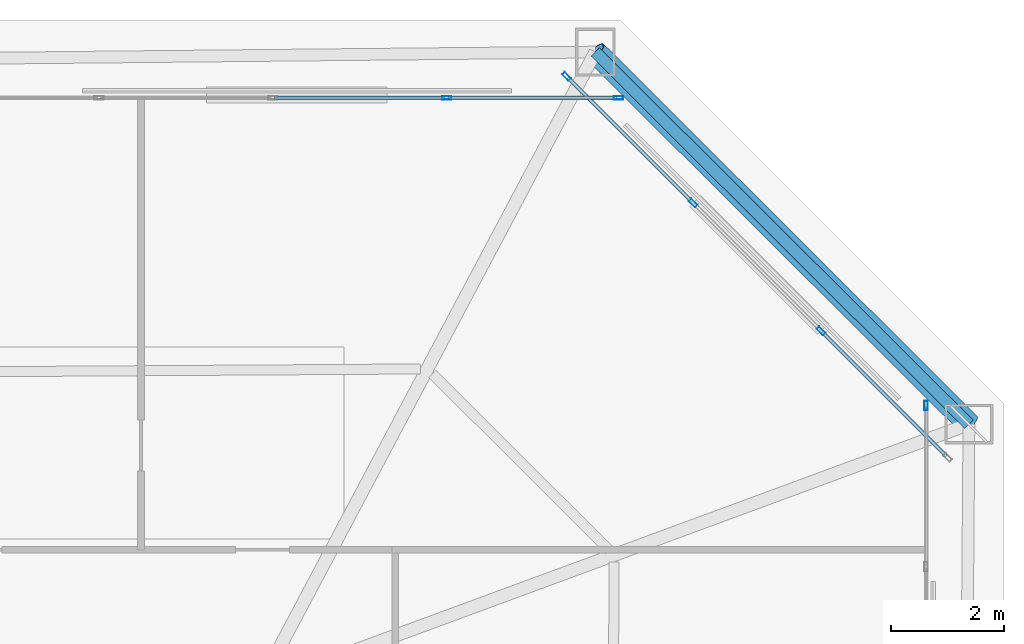
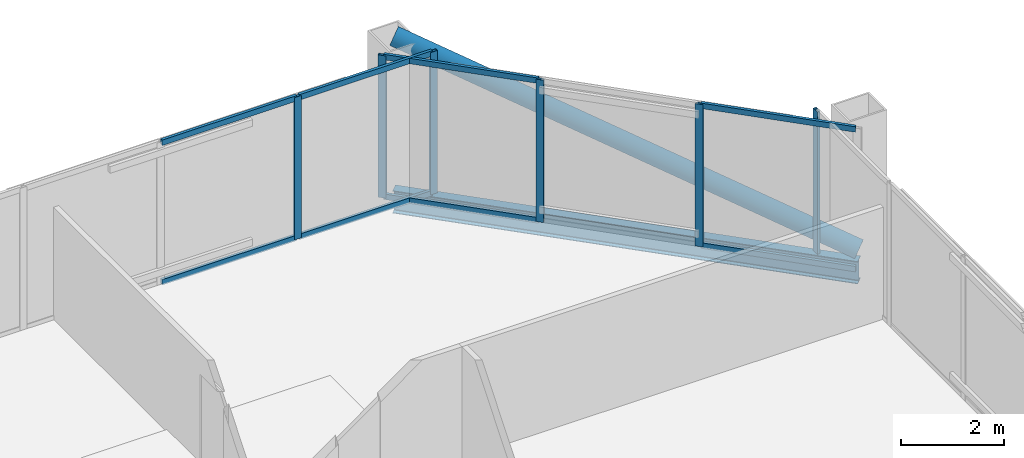
# One storey, part 33 of 39: 15 members, 1 beam, 3 elements without a shape of their own.
"""IFC4 building model written with IfcOpenShell, lengths in metres."""

from ifc_helpers import new_model, si_unit, direction, frame, origin, origin_2d, place, context, subcontext, project, spatial, hollow_rectangle, hollow_circle, i_section, extrude, material, layer, layer_set, material_profile, profile_set, type_object, element, aggregate, save


model = new_model("IFC4")

# Units and contexts
model_context = context("Model", 3, precision=1e-05, world=origin(), true_north=direction((0.0, 1.0)))
body_context = subcontext(model_context, "Body", "Model", "MODEL_VIEW")
ifc_project = project(units=[si_unit("LENGTHUNIT", "METRE"), si_unit("AREAUNIT", "SQUARE_METRE"), si_unit("VOLUMEUNIT", "CUBIC_METRE"), si_unit("PLANEANGLEUNIT", "RADIAN"), si_unit("MASSUNIT", "GRAM", prefix="KILO")], contexts=[model_context])

# Site, building, storey
site_placement = place(None, origin())
site = spatial("IfcSite", under=ifc_project, at=site_placement, CompositionType="ELEMENT")
building_placement = place(site_placement, origin())
building = spatial("IfcBuilding", under=site, at=building_placement, Name="Caelvoria Tower", CompositionType="ELEMENT")
storey_placement = place(building_placement, frame((0.0, 0.0, 198.60009765625)))
storey = spatial("IfcBuildingStorey", under=building, at=storey_placement, Name="L52", CompositionType="ELEMENT", Elevation=198.60009765625)

# Curtain wall, member
ifc_material_1 = material(Name="Anodised Bronze Aluminium and Low-E Glass", Category="aluminium")
ifc_layer = layer(ifc_material_1, 0.175048828125, Name="Anodised Bronze Aluminium and Low-E Glass")
ifc_layer_set = layer_set([ifc_layer], Name="CW System 4 High-Zone Tapered Crystal Facade - Anodised Bronze Aluminium and Low-E Glass")
curtain_wall_type = type_object("IfcCurtainWallType", Name="CW System 4 High-Zone Tapered Crystal Facade", PredefinedType="NOTDEFINED", material=ifc_layer_set)
curtain_wall_1_placement = place(storey_placement, origin())
curtain_wall_1 = element("IfcCurtainWall", 1, at=curtain_wall_1_placement, inside=storey, type_object=curtain_wall_type, Name="CW-04 Curtain Wall L52-E2", PredefinedType="NOTDEFINED")
ifc_material_2 = material(Name="Anodised Bronze Architectural Aluminium", Category="aluminium")
ifc_material_profile_1 = material_profile(ifc_material_2, hollow_rectangle(XDim=0.06494140625, YDim=0.159912109375, WallThickness=0.00390625, at=origin_2d()), Name="Anodised Bronze Architectural Aluminium")
ifc_profile_set_1 = profile_set([ifc_material_profile_1], Name="CW_MULL_65X160 - Anodised Bronze Architectural Aluminium")
member_type_1 = type_object("IfcMemberType", Name="Curtain Wall Mullion 65x160 Bronze Aluminium", PredefinedType="MULLION", material=ifc_profile_set_1)
member_1_placement = place(storey_placement, frame((66.820068359375, 44.967529296875, 0.0), z_axis=(0.0, 0.0, 1.0), x_axis=(-1.0, 0.0, 0.0)))
member_1 = element("IfcMember", 2, at=member_1_placement, type_object=member_type_1, Name="CW-04 mullion 10", PredefinedType="MULLION", context=body_context, shape_type="SweptSolid", body=[
    extrude(hollow_rectangle(XDim=0.06494140625, YDim=0.159912109375, WallThickness=0.00390625, at=origin_2d()), origin(), (0.0, 0.0, 1.0), 3.375),
])
aggregate(curtain_wall_1, [member_1])

# Curtain wall, members
curtain_wall_2_placement = place(storey_placement, origin())
curtain_wall_2 = element("IfcCurtainWall", 3, at=curtain_wall_2_placement, inside=storey, type_object=curtain_wall_type, Name="CW-04 Curtain Wall L52-E3", PredefinedType="NOTDEFINED")
member_2_placement = place(storey_placement, frame((64.95751953125, 46.290771484375, 0.0), z_axis=(0.0, 0.0, 1.0), x_axis=(-0.707106781187, -0.707106781187, 0.0)))
member_2 = element("IfcMember", 4, at=member_2_placement, type_object=member_type_1, Name="CW-04 mullion 2", PredefinedType="MULLION", context=body_context, shape_type="SweptSolid", body=[
    extrude(hollow_rectangle(XDim=0.06494140625, YDim=0.159912109375, WallThickness=0.00390625, at=origin_2d()), origin(), (0.0, 0.0, 1.0), 3.375),
])
member_3_placement = place(storey_placement, frame((62.69091796875, 48.5576171875, 0.0), z_axis=(0.0, 0.0, 1.0), x_axis=(-0.707106781187, -0.707106781187, 0.0)))
member_3 = element("IfcMember", 5, at=member_3_placement, type_object=member_type_1, Name="CW-04 mullion 3", PredefinedType="MULLION", context=body_context, shape_type="SweptSolid", body=[
    extrude(hollow_rectangle(XDim=0.06494140625, YDim=0.159912109375, WallThickness=0.00390625, at=origin_2d()), origin(), (0.0, 0.0, 1.0), 3.375),
])
member_4_placement = place(storey_placement, frame((60.447265625, 50.80126953125, 0.0), z_axis=(0.0, 0.0, 1.0), x_axis=(-0.707106781187, -0.707106781187, 0.0)))
member_4 = element("IfcMember", 6, at=member_4_placement, type_object=member_type_1, Name="CW-04 mullion 4", PredefinedType="MULLION", context=body_context, shape_type="SweptSolid", body=[
    extrude(hollow_rectangle(XDim=0.06494140625, YDim=0.159912109375, WallThickness=0.00390625, at=origin_2d()), origin(), (0.0, 0.0, 1.0), 3.375),
])

curtain_wall_3_placement = place(storey_placement, origin())
curtain_wall_3 = element("IfcCurtainWall", 7, at=curtain_wall_3_placement, inside=storey, type_object=curtain_wall_type, Name="CW-04 Curtain Wall L52-E4", PredefinedType="NOTDEFINED")
member_5_placement = place(storey_placement, frame((61.367431640625, 50.419921875, 0.0), z_axis=(0.0, 0.0, 1.0), x_axis=(0.0, -1.0, 0.0)))
member_5 = element("IfcMember", 8, at=member_5_placement, type_object=member_type_1, Name="CW-04 mullion 1", PredefinedType="MULLION", context=body_context, shape_type="SweptSolid", body=[
    extrude(hollow_rectangle(XDim=0.06494140625, YDim=0.159912109375, WallThickness=0.00390625, at=origin_2d()), origin(), (0.0, 0.0, 1.0), 3.375),
])
member_6_placement = place(storey_placement, frame((58.320068359375, 50.419921875, 0.0), z_axis=(0.0, 0.0, 1.0), x_axis=(0.0, -1.0, 0.0)))
member_6 = element("IfcMember", 9, at=member_6_placement, type_object=member_type_1, Name="CW-04 mullion 2", PredefinedType="MULLION", context=body_context, shape_type="SweptSolid", body=[
    extrude(hollow_rectangle(XDim=0.06494140625, YDim=0.159912109375, WallThickness=0.00390625, at=origin_2d()), origin(), (0.0, 0.0, 1.0), 3.375),
])

# Member
ifc_material_profile_2 = material_profile(ifc_material_2, hollow_rectangle(XDim=0.06494140625, YDim=0.1298828125, WallThickness=0.00341796875, at=origin_2d()), Name="Anodised Bronze Architectural Aluminium")
ifc_profile_set_2 = profile_set([ifc_material_profile_2], Name="CW_TRAN_65X130 - Anodised Bronze Architectural Aluminium")
member_type_2 = type_object("IfcMemberType", Name="Curtain Wall Transom 65x130 Bronze Aluminium", PredefinedType="USERDEFINED", material=ifc_profile_set_2)
member_7_placement = place(storey_placement, frame((67.17822265625, 44.070068359375, 0.032470703125), z_axis=(-0.707106781187, 0.707106781187, 0.0), x_axis=(-0.707106781187, -0.707106781187, 0.0)))
member_7 = element("IfcMember", 10, at=member_7_placement, type_object=member_type_2, Name="CW-04 transom 1.1", ObjectType="TRANSOM", PredefinedType="USERDEFINED", context=body_context, shape_type="SweptSolid", body=[
    extrude(hollow_rectangle(XDim=0.06494140625, YDim=0.1298828125, WallThickness=0.00341796875, at=origin_2d()), origin(), (0.0, 0.0, 1.0), 3.108154296875),
])

member_8_placement = place(storey_placement, frame((67.17822265625, 44.070068359375, 3.34228515625), z_axis=(-0.707106781187, 0.707106781187, 0.0), x_axis=(-0.707106781187, -0.707106781187, 0.0)))
member_8 = element("IfcMember", 11, at=member_8_placement, type_object=member_type_2, Name="CW-04 transom 1.2", ObjectType="TRANSOM", PredefinedType="USERDEFINED", context=body_context, shape_type="SweptSolid", body=[
    extrude(hollow_rectangle(XDim=0.06494140625, YDim=0.1298828125, WallThickness=0.00341796875, at=origin_2d()), origin(), (0.0, 0.0, 1.0), 3.108154296875),
])

member_9_placement = place(storey_placement, frame((62.66796875, 48.58056640625, 0.032470703125), z_axis=(-0.707106781187, 0.707106781187, 0.0), x_axis=(-0.707106781187, -0.707106781187, 0.0)))
member_9 = element("IfcMember", 12, at=member_9_placement, type_object=member_type_2, Name="CW-04 transom 3.1", ObjectType="TRANSOM", PredefinedType="USERDEFINED", context=body_context, shape_type="SweptSolid", body=[
    extrude(hollow_rectangle(XDim=0.06494140625, YDim=0.1298828125, WallThickness=0.00341796875, at=origin_2d()), origin(), (0.0, 0.0, 1.0), 3.108154296875),
])

member_10_placement = place(storey_placement, frame((62.66796875, 48.58056640625, 3.34228515625), z_axis=(-0.707106781187, 0.707106781187, 0.0), x_axis=(-0.707106781187, -0.707106781187, 0.0)))
member_10 = element("IfcMember", 13, at=member_10_placement, type_object=member_type_2, Name="CW-04 transom 3.2", ObjectType="TRANSOM", PredefinedType="USERDEFINED", context=body_context, shape_type="SweptSolid", body=[
    extrude(hollow_rectangle(XDim=0.06494140625, YDim=0.1298828125, WallThickness=0.00341796875, at=origin_2d()), origin(), (0.0, 0.0, 1.0), 3.108154296875),
])

aggregate(curtain_wall_2, [member_2, member_3, member_4, member_7, member_8, member_9, member_10])

member_11_placement = place(storey_placement, frame((61.3349609375, 50.419921875, 0.032470703125), z_axis=(-1.0, 0.0, 0.0), x_axis=(0.0, -1.0, 0.0)))
member_11 = element("IfcMember", 14, at=member_11_placement, type_object=member_type_2, Name="CW-04 transom 1.1", ObjectType="TRANSOM", PredefinedType="USERDEFINED", context=body_context, shape_type="SweptSolid", body=[
    extrude(hollow_rectangle(XDim=0.06494140625, YDim=0.1298828125, WallThickness=0.00341796875, at=origin_2d()), origin(), (0.0, 0.0, 1.0), 2.982421875),
])

member_12_placement = place(storey_placement, frame((61.3349609375, 50.419921875, 3.34228515625), z_axis=(-1.0, 0.0, 0.0), x_axis=(0.0, -1.0, 0.0)))
member_12 = element("IfcMember", 15, at=member_12_placement, type_object=member_type_2, Name="CW-04 transom 1.2", ObjectType="TRANSOM", PredefinedType="USERDEFINED", context=body_context, shape_type="SweptSolid", body=[
    extrude(hollow_rectangle(XDim=0.06494140625, YDim=0.1298828125, WallThickness=0.00341796875, at=origin_2d()), origin(), (0.0, 0.0, 1.0), 2.982421875),
])

member_13_placement = place(storey_placement, frame((58.28759765625, 50.419921875, 0.032470703125), z_axis=(-1.0, 0.0, 0.0), x_axis=(0.0, -1.0, 0.0)))
member_13 = element("IfcMember", 16, at=member_13_placement, type_object=member_type_2, Name="CW-04 transom 2.1", ObjectType="TRANSOM", PredefinedType="USERDEFINED", context=body_context, shape_type="SweptSolid", body=[
    extrude(hollow_rectangle(XDim=0.06494140625, YDim=0.1298828125, WallThickness=0.00341796875, at=origin_2d()), origin(), (0.0, 0.0, 1.0), 3.01513671875),
])

member_14_placement = place(storey_placement, frame((58.28759765625, 50.419921875, 3.34228515625), z_axis=(-1.0, 0.0, 0.0), x_axis=(0.0, -1.0, 0.0)))
member_14 = element("IfcMember", 17, at=member_14_placement, type_object=member_type_2, Name="CW-04 transom 2.2", ObjectType="TRANSOM", PredefinedType="USERDEFINED", context=body_context, shape_type="SweptSolid", body=[
    extrude(hollow_rectangle(XDim=0.06494140625, YDim=0.1298828125, WallThickness=0.00341796875, at=origin_2d()), origin(), (0.0, 0.0, 1.0), 3.01513671875),
])

aggregate(curtain_wall_3, [member_5, member_6, member_11, member_12, member_13, member_14])

ifc_material_3 = material(Name="Structural Steel ASTM A572 Gr.50", Category="steel")
ifc_material_profile_3 = material_profile(ifc_material_3, hollow_circle(Radius=0.202880859375, WallThickness=0.01611328125, at=origin_2d()), Name="Structural Steel ASTM A572 Gr.50")
ifc_profile_set_3 = profile_set([ifc_material_profile_3], Name="CHS406X16 - Structural Steel ASTM A572 Gr.50")
member_type_3 = type_object("IfcMemberType", Name="Upper Perimeter Mega Brace CHS406X16", PredefinedType="BRACE", material=ifc_profile_set_3)
member_15_placement = place(storey_placement, frame((67.57861328125, 44.63623046875, 0.0), z_axis=(-0.666328317431, 0.663797459082, 0.339675590389), x_axis=(-0.705760076664, -0.708450925744, 0.0)))
element("IfcMember", 18, at=member_15_placement, inside=storey, type_object=member_type_3, Name="Perimeter Chamfer Mega Brace L52 NE", PredefinedType="BRACE", context=body_context, shape_type="SweptSolid", body=[
    extrude(hollow_circle(Radius=0.202880859375, WallThickness=0.01611328125, at=origin_2d()), origin(), (0.0, 0.0, 1.0), 9.93603515625),
])

# Beam
ifc_material_4 = material(Name="Structural Steel ASTM A992 Gr.50", Category="steel")
ifc_material_profile_4 = material_profile(ifc_material_4, i_section(OverallWidth=0.208984375, OverallDepth=0.532958984375, WebThickness=0.01025390625, FlangeThickness=0.015625, FilletRadius=0.01611328125, at=origin_2d()), Name="Structural Steel ASTM A992 Gr.50")
ifc_profile_set_4 = profile_set([ifc_material_profile_4], Name="W530X92 - Structural Steel ASTM A992 Gr.50")
beam_type = type_object("IfcBeamType", Name="Upper Zone Spandrel W530X92", PredefinedType="BEAM", material=ifc_profile_set_4)
beam_placement = place(storey_placement, frame((67.57861328125, 44.63623046875, -0.49169921875), z_axis=(-0.708450925744, 0.705760076664, 0.0), x_axis=(-0.705760076664, -0.708450925744, 0.0)))
element("IfcBeam", 19, at=beam_placement, inside=storey, type_object=beam_type, Name="Perimeter Spandrel Girder L52-05", PredefinedType="BEAM", context=body_context, shape_type="SweptSolid", body=[
    extrude(i_section(OverallWidth=0.208984375, OverallDepth=0.532958984375, WebThickness=0.01025390625, FlangeThickness=0.015625, FilletRadius=0.01611328125, at=origin_2d()), origin(), (0.0, 0.0, 1.0), 9.34521484375),
])

save(model, "model.ifc")
